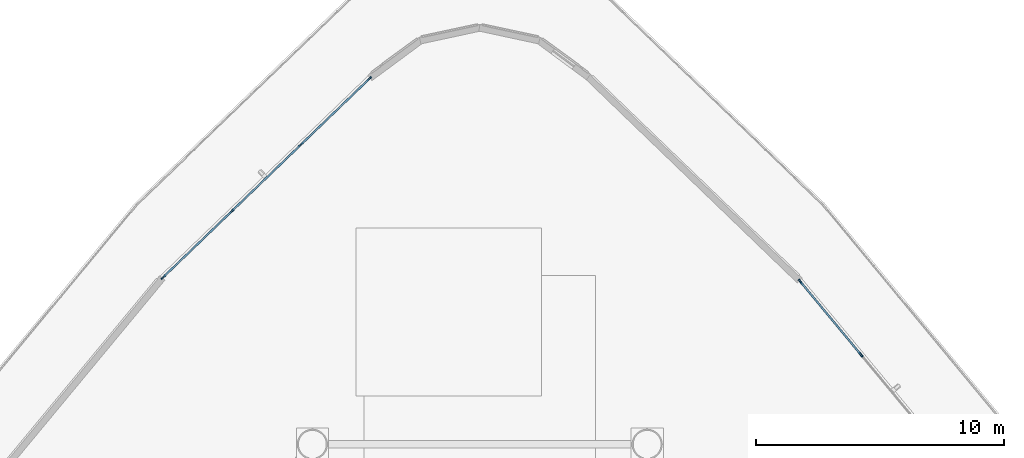
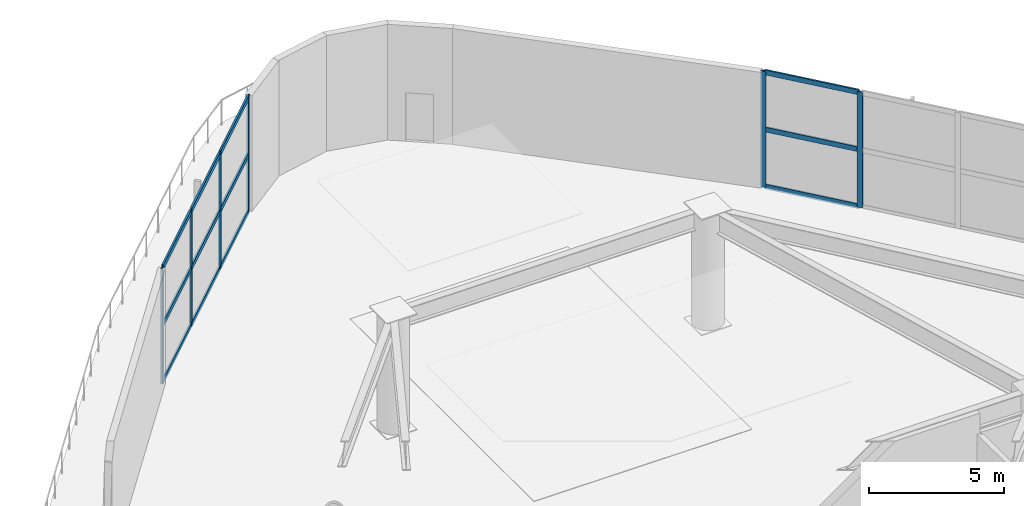
# One storey, part 10 of 26: 18 members, 2 elements without a shape of their own.
"""IFC4 building model written with IfcOpenShell, lengths in metres."""

from ifc_helpers import new_model, si_unit, direction, frame, origin, origin_2d, place, context, subcontext, project, spatial, hollow_rectangle, extrude, source, transform, mapped, material, layer, layer_set, material_profile, profile_set, type_object, type_shapes, element, aggregate, save


model = new_model("IFC4")

# Units and contexts
model_context = context("Model", 3, precision=1e-05, world=origin(), true_north=direction((0.0, 1.0)))
body_context = subcontext(model_context, "Body", "Model", "MODEL_VIEW")
ifc_project = project(units=[si_unit("LENGTHUNIT", "METRE"), si_unit("AREAUNIT", "SQUARE_METRE"), si_unit("VOLUMEUNIT", "CUBIC_METRE"), si_unit("PLANEANGLEUNIT", "RADIAN"), si_unit("MASSUNIT", "GRAM", prefix="KILO")], contexts=[model_context])

# Site, building, storey
site_placement = place(None, origin())
site = spatial("IfcSite", under=ifc_project, at=site_placement, CompositionType="ELEMENT")
building_placement = place(site_placement, origin())
building = spatial("IfcBuilding", under=site, at=building_placement, Name="Tavelor Broadcast Tower", CompositionType="ELEMENT")
storey_placement = place(building_placement, frame((0.0, 0.0, 5.800048828125)))
storey = spatial("IfcBuildingStorey", under=building, at=storey_placement, Name="L01", CompositionType="ELEMENT", Elevation=5.800048828125)

# Curtain wall, members
ifc_material = material(Name="Architectural Anodized Aluminium", Category="aluminium")
ifc_layer = layer(ifc_material, 0.219970703125)
ifc_layer_set = layer_set([ifc_layer], Name="Architectural Anodized Aluminium")
curtain_wall_type = type_object("IfcCurtainWallType", Name="Podium Double-Height Broadcast Curtain Wall CW01", PredefinedType="NOTDEFINED", material=ifc_layer_set)
curtain_wall_1_placement = place(storey_placement, origin())
curtain_wall_1 = element("IfcCurtainWall", 1, at=curtain_wall_1_placement, inside=storey, type_object=curtain_wall_type, Name="L01 Curtain Wall CW01 Run 1", PredefinedType="NOTDEFINED")
ifc_material_profile_1 = material_profile(ifc_material, hollow_rectangle(XDim=0.074951171875, YDim=0.219970703125, WallThickness=0.02197265625, at=origin_2d()), Name="RHS 75x220x22")
ifc_profile_set_1 = profile_set([ifc_material_profile_1], Name="Architectural Anodized Aluminium")
member_type_1 = type_object("IfcMemberType", Name="CW01 Extruded Aluminium Mullion 75x220", PredefinedType="MULLION", material=ifc_profile_set_1)
shared_shape_1 = source(origin(), body_context, "Body", "SweptSolid", [
    extrude(hollow_rectangle(XDim=0.074951171875, YDim=0.219970703125, WallThickness=0.02197265625, at=origin_2d()), origin(), (0.0, 0.0, 1.0), 5.25),
])
type_shapes(member_type_1, [shared_shape_1])
member_1_placement = place(storey_placement, frame((45.542724609375, 87.49609375, 0.0), z_axis=(0.0, 0.0, 1.0), x_axis=(0.693655582732, -0.720306832221, 0.0)))
member_1 = element("IfcMember", 2, at=member_1_placement, type_object=member_type_1, Name="CW01 mullion 1", PredefinedType="MULLION", context=body_context, shape_type="MappedRepresentation", body=[
    mapped(shared_shape_1, transform((0.0, 0.0, 0.0), scale=1.0)),
])
member_2_placement = place(storey_placement, frame((42.780517578125, 84.836181640625, 0.0), z_axis=(0.0, 0.0, 1.0), x_axis=(0.693655582732, -0.720306832221, 0.0)))
member_2 = element("IfcMember", 3, at=member_2_placement, type_object=member_type_1, Name="CW01 mullion 2", PredefinedType="MULLION", context=body_context, shape_type="MappedRepresentation", body=[
    mapped(shared_shape_1, transform((0.0, 0.0, 0.0), scale=1.0)),
])
member_3_placement = place(storey_placement, frame((39.9912109375, 82.150146484375, 0.0), z_axis=(0.0, 0.0, 1.0), x_axis=(0.693655582732, -0.720306832221, 0.0)))
member_3 = element("IfcMember", 4, at=member_3_placement, type_object=member_type_1, Name="CW01 mullion 3", PredefinedType="MULLION", context=body_context, shape_type="MappedRepresentation", body=[
    mapped(shared_shape_1, transform((0.0, 0.0, 0.0), scale=1.0)),
])
member_4_placement = place(storey_placement, frame((37.22900390625, 79.489990234375, 0.0), z_axis=(0.0, 0.0, 1.0), x_axis=(0.693655582732, -0.720306832221, 0.0)))
member_4 = element("IfcMember", 5, at=member_4_placement, type_object=member_type_1, Name="CW01 mullion 4", PredefinedType="MULLION", context=body_context, shape_type="MappedRepresentation", body=[
    mapped(shared_shape_1, transform((0.0, 0.0, 0.0), scale=1.0)),
])

curtain_wall_2_placement = place(storey_placement, origin())
curtain_wall_2 = element("IfcCurtainWall", 6, at=curtain_wall_2_placement, inside=storey, type_object=curtain_wall_type, Name="L01 Curtain Wall CW01 Run 6", PredefinedType="NOTDEFINED")
member_5_placement = place(storey_placement, frame((65.377685546875, 76.365234375, 0.0), z_axis=(0.0, 0.0, 1.0), x_axis=(-0.769977943321, -0.638070503, 0.0)))
member_5 = element("IfcMember", 7, at=member_5_placement, type_object=member_type_1, Name="CW01 mullion 3", PredefinedType="MULLION", context=body_context, shape_type="MappedRepresentation", body=[
    mapped(shared_shape_1, transform((0.0, 0.0, 0.0), scale=1.0)),
])
member_6_placement = place(storey_placement, frame((62.930419921875, 79.318115234375, 0.0), z_axis=(0.0, 0.0, 1.0), x_axis=(-0.769977943321, -0.638070503, 0.0)))
member_6 = element("IfcMember", 8, at=member_6_placement, type_object=member_type_1, Name="CW01 mullion 4", PredefinedType="MULLION", context=body_context, shape_type="MappedRepresentation", body=[
    mapped(shared_shape_1, transform((0.0, 0.0, 0.0), scale=1.0)),
])

# Member
ifc_material_profile_2 = material_profile(ifc_material, hollow_rectangle(XDim=0.074951171875, YDim=0.219970703125, WallThickness=0.02197265625, at=origin_2d()), Name="RHS 75x220x22")
ifc_profile_set_2 = profile_set([ifc_material_profile_2], Name="Architectural Anodized Aluminium")
member_type_2 = type_object("IfcMemberType", Name="CW01 Extruded Aluminium Transom 75x220", PredefinedType="USERDEFINED", material=ifc_profile_set_2)
shared_shape_2 = source(origin(), body_context, "Body", "SweptSolid", [
    extrude(hollow_rectangle(XDim=0.074951171875, YDim=0.219970703125, WallThickness=0.02197265625, at=origin_2d()), origin(), (0.0, 0.0, 1.0), 3.759521484375),
])
member_7_placement = place(storey_placement, frame((45.515625, 87.469970703125, 0.037353515625), z_axis=(-0.720293775522, -0.693669140833, 0.0), x_axis=(0.693669140833, -0.720293775522, 0.0)))
member_7 = element("IfcMember", 9, at=member_7_placement, type_object=member_type_2, Name="CW01 transom 1.1", ObjectType="TRANSOM", PredefinedType="USERDEFINED", context=body_context, shape_type="MappedRepresentation", body=[
    mapped(shared_shape_2, transform((0.0, 0.0, 0.0), scale=1.0)),
])

member_8_placement = place(storey_placement, frame((45.515625, 87.469970703125, 2.625), z_axis=(-0.720293775522, -0.693669140833, 0.0), x_axis=(0.693669140833, -0.720293775522, 0.0)))
member_8 = element("IfcMember", 10, at=member_8_placement, type_object=member_type_2, Name="CW01 transom 1.2", ObjectType="TRANSOM", PredefinedType="USERDEFINED", context=body_context, shape_type="MappedRepresentation", body=[
    mapped(shared_shape_2, transform((0.0, 0.0, 0.0), scale=1.0)),
])

member_9_placement = place(storey_placement, frame((45.515625, 87.469970703125, 5.21240234375), z_axis=(-0.720293775522, -0.693669140833, 0.0), x_axis=(0.693669140833, -0.720293775522, 0.0)))
member_9 = element("IfcMember", 11, at=member_9_placement, type_object=member_type_2, Name="CW01 transom 1.3", ObjectType="TRANSOM", PredefinedType="USERDEFINED", context=body_context, shape_type="MappedRepresentation", body=[
    mapped(shared_shape_2, transform((0.0, 0.0, 0.0), scale=1.0)),
])

shared_shape_3 = source(origin(), body_context, "Body", "SweptSolid", [
    extrude(hollow_rectangle(XDim=0.074951171875, YDim=0.219970703125, WallThickness=0.02197265625, at=origin_2d()), origin(), (0.0, 0.0, 1.0), 3.797119140625),
])
member_10_placement = place(storey_placement, frame((42.75341796875, 84.81005859375, 0.037353515625), z_axis=(-0.720290468076, -0.69367257521, 0.0), x_axis=(0.69367257521, -0.720290468076, 0.0)))
member_10 = element("IfcMember", 12, at=member_10_placement, type_object=member_type_2, Name="CW01 transom 2.1", ObjectType="TRANSOM", PredefinedType="USERDEFINED", context=body_context, shape_type="MappedRepresentation", body=[
    mapped(shared_shape_3, transform((0.0, 0.0, 0.0), scale=1.0)),
])

member_11_placement = place(storey_placement, frame((42.75341796875, 84.81005859375, 2.625), z_axis=(-0.720290468076, -0.69367257521, 0.0), x_axis=(0.69367257521, -0.720290468076, 0.0)))
member_11 = element("IfcMember", 13, at=member_11_placement, type_object=member_type_2, Name="CW01 transom 2.2", ObjectType="TRANSOM", PredefinedType="USERDEFINED", context=body_context, shape_type="MappedRepresentation", body=[
    mapped(shared_shape_3, transform((0.0, 0.0, 0.0), scale=1.0)),
])

member_12_placement = place(storey_placement, frame((42.75341796875, 84.81005859375, 5.21240234375), z_axis=(-0.720290468076, -0.69367257521, 0.0), x_axis=(0.69367257521, -0.720290468076, 0.0)))
member_12 = element("IfcMember", 14, at=member_12_placement, type_object=member_type_2, Name="CW01 transom 2.3", ObjectType="TRANSOM", PredefinedType="USERDEFINED", context=body_context, shape_type="MappedRepresentation", body=[
    mapped(shared_shape_3, transform((0.0, 0.0, 0.0), scale=1.0)),
])

shared_shape_4 = source(origin(), body_context, "Body", "SweptSolid", [
    extrude(hollow_rectangle(XDim=0.074951171875, YDim=0.219970703125, WallThickness=0.02197265625, at=origin_2d()), origin(), (0.0, 0.0, 1.0), 3.759765625),
])
member_13_placement = place(storey_placement, frame((39.96435546875, 82.1240234375, 0.037353515625), z_axis=(-0.720325020058, -0.693636695597, 0.0), x_axis=(0.693636695597, -0.720325020058, 0.0)))
member_13 = element("IfcMember", 15, at=member_13_placement, type_object=member_type_2, Name="CW01 transom 3.1", ObjectType="TRANSOM", PredefinedType="USERDEFINED", context=body_context, shape_type="MappedRepresentation", body=[
    mapped(shared_shape_4, transform((0.0, 0.0, 0.0), scale=1.0)),
])

member_14_placement = place(storey_placement, frame((39.96435546875, 82.1240234375, 2.625), z_axis=(-0.720325020058, -0.693636695597, 0.0), x_axis=(0.693636695597, -0.720325020058, 0.0)))
member_14 = element("IfcMember", 16, at=member_14_placement, type_object=member_type_2, Name="CW01 transom 3.2", ObjectType="TRANSOM", PredefinedType="USERDEFINED", context=body_context, shape_type="MappedRepresentation", body=[
    mapped(shared_shape_4, transform((0.0, 0.0, 0.0), scale=1.0)),
])

member_15_placement = place(storey_placement, frame((39.96435546875, 82.1240234375, 5.21240234375), z_axis=(-0.720325020058, -0.693636695597, 0.0), x_axis=(0.693636695597, -0.720325020058, 0.0)))
member_15 = element("IfcMember", 17, at=member_15_placement, type_object=member_type_2, Name="CW01 transom 3.3", ObjectType="TRANSOM", PredefinedType="USERDEFINED", context=body_context, shape_type="MappedRepresentation", body=[
    mapped(shared_shape_4, transform((0.0, 0.0, 0.0), scale=1.0)),
])

aggregate(curtain_wall_1, [member_1, member_2, member_3, member_4, member_7, member_8, member_9, member_10, member_11, member_12, member_13, member_14, member_15])

shared_shape_5 = source(origin(), body_context, "Body", "SweptSolid", [
    extrude(hollow_rectangle(XDim=0.074951171875, YDim=0.219970703125, WallThickness=0.02197265625, at=origin_2d()), origin(), (0.0, 0.0, 1.0), 3.76025390625),
])
type_shapes(member_type_2, [shared_shape_2, shared_shape_3, shared_shape_4, shared_shape_5])
member_16_placement = place(storey_placement, frame((65.353759765625, 76.39404296875, 0.037353515625), z_axis=(-0.638093755428, 0.769958673751, 0.0), x_axis=(-0.769958673751, -0.638093755428, 0.0)))
member_16 = element("IfcMember", 18, at=member_16_placement, type_object=member_type_2, Name="CW01 transom 3.1", ObjectType="TRANSOM", PredefinedType="USERDEFINED", context=body_context, shape_type="MappedRepresentation", body=[
    mapped(shared_shape_5, transform((0.0, 0.0, 0.0), scale=1.0)),
])

member_17_placement = place(storey_placement, frame((65.353759765625, 76.39404296875, 2.625), z_axis=(-0.638093755428, 0.769958673751, 0.0), x_axis=(-0.769958673751, -0.638093755428, 0.0)))
member_17 = element("IfcMember", 19, at=member_17_placement, type_object=member_type_2, Name="CW01 transom 3.2", ObjectType="TRANSOM", PredefinedType="USERDEFINED", context=body_context, shape_type="MappedRepresentation", body=[
    mapped(shared_shape_5, transform((0.0, 0.0, 0.0), scale=1.0)),
])

member_18_placement = place(storey_placement, frame((65.353759765625, 76.39404296875, 5.21240234375), z_axis=(-0.638093755428, 0.769958673751, 0.0), x_axis=(-0.769958673751, -0.638093755428, 0.0)))
member_18 = element("IfcMember", 20, at=member_18_placement, type_object=member_type_2, Name="CW01 transom 3.3", ObjectType="TRANSOM", PredefinedType="USERDEFINED", context=body_context, shape_type="MappedRepresentation", body=[
    mapped(shared_shape_5, transform((0.0, 0.0, 0.0), scale=1.0)),
])

aggregate(curtain_wall_2, [member_5, member_6, member_16, member_17, member_18])

save(model, "model.ifc")
